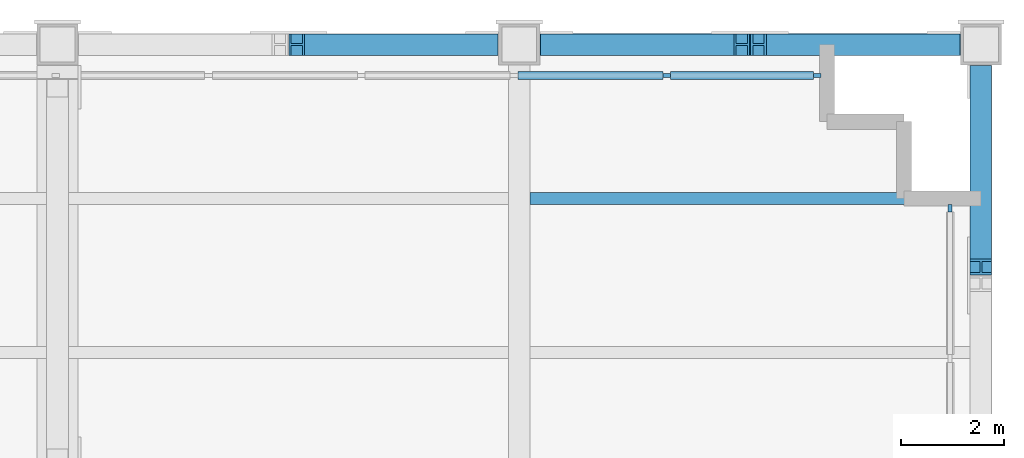
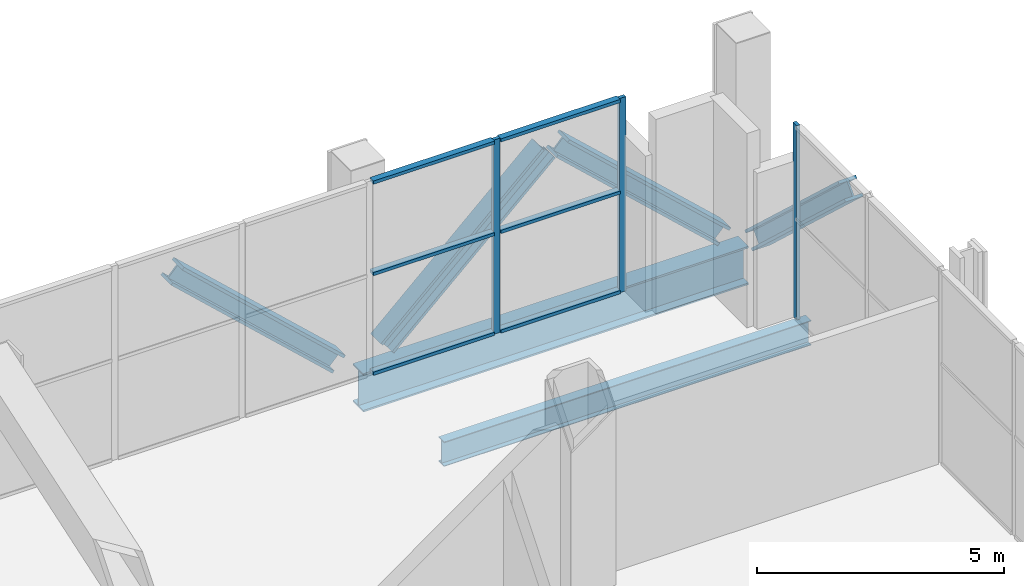
# One storey, part 8 of 16: 13 members, 2 beams, 2 elements without a shape of their own.
"""IFC4 building model written with IfcOpenShell, lengths in metres."""

from ifc_helpers import new_model, si_unit, direction, frame, origin, origin_2d, place, context, subcontext, project, spatial, rectangle, i_section, extrude, material, material_profile, profile_set, type_object, element, aggregate, save


model = new_model("IFC4")

# Units and contexts
model_context = context("Model", 3, precision=1e-05, world=origin(), true_north=direction((0.0, 1.0)))
body_context = subcontext(model_context, "Body", "Model", "MODEL_VIEW")
ifc_project = project(units=[si_unit("LENGTHUNIT", "METRE"), si_unit("AREAUNIT", "SQUARE_METRE"), si_unit("VOLUMEUNIT", "CUBIC_METRE"), si_unit("PLANEANGLEUNIT", "RADIAN"), si_unit("MASSUNIT", "GRAM", prefix="KILO")], contexts=[model_context])

# Site, building, storey
site_placement = place(None, origin())
site = spatial("IfcSite", under=ifc_project, at=site_placement, CompositionType="ELEMENT")
building_placement = place(site_placement, origin())
building = spatial("IfcBuilding", under=site, at=building_placement, Name="Loomwork Tower", CompositionType="ELEMENT")
storey_placement = place(building_placement, frame((0.0, 0.0, 155.39990234375)))
storey = spatial("IfcBuildingStorey", under=building, at=storey_placement, Name="L42", CompositionType="ELEMENT", Elevation=155.39990234375)

# Beam
ifc_material_1 = material(Name="Steel ASTM A992", Category="steel")
ifc_material_profile_1 = material_profile(ifc_material_1, i_section(OverallWidth=0.424072265625, OverallDepth=0.947509765625, WebThickness=0.02392578125, FlangeThickness=0.042724609375, at=origin_2d()), Name="W36x302")
ifc_profile_set_1 = profile_set([ifc_material_profile_1], Name="Steel ASTM A992")
beam_type_1 = type_object("IfcBeamType", Name="BELT CHORD SPANDREL W36x302", PredefinedType="SPANDREL", material=ifc_profile_set_1)
beam_1_placement = place(storey_placement, frame((36.0, 36.0, -0.7236328125), z_axis=(1.0, 0.0, 0.0), x_axis=(0.0, 1.0, 0.0)))
element("IfcBeam", 1, at=beam_1_placement, inside=storey, type_object=beam_type_1, Name="Belt Chord Spandrel H/6-H/7 L42", PredefinedType="SPANDREL", context=body_context, shape_type="SweptSolid", body=[
    extrude(i_section(OverallWidth=0.424072265625, OverallDepth=0.947509765625, WebThickness=0.02392578125, FlangeThickness=0.042724609375, at=origin_2d()), origin(), (0.0, 0.0, 1.0), 9.0),
])

# Members
ifc_material_2 = material(Name="Steel ASTM A992", Category="steel")
ifc_material_profile_2 = material_profile(ifc_material_2, i_section(OverallWidth=0.419189453125, OverallDepth=0.45458984375, WebThickness=0.042236328125, FlangeThickness=0.067626953125, at=origin_2d()), Name="W14x370")
ifc_profile_set_2 = profile_set([ifc_material_profile_2], Name="Steel ASTM A992")
member_type_1 = type_object("IfcMemberType", Name="BELT TRUSS DIAGONAL W14x370", PredefinedType="BRACE", material=ifc_profile_set_2)
for number, where, z_axis, x_axis, name in (
    (2, (35.435302734375, 36.0, 0.1767578125), (-0.733176969672, 0.0, 0.680037889491), (0.0, -1.0, 0.0), "Belt truss diagonal H/5-H/6 L42"),
    (3, (36.564697265625, 36.0, 0.1767578125), (0.733176969672, 0.0, 0.680037889491), (0.0, 1.0, 0.0), "Belt truss diagonal H/6-H/7 L42"),
    (4, (44.435302734375, 36.0, 0.1767578125), (-0.733176969672, 0.0, 0.680037889491), (0.0, -1.0, 0.0), "Belt truss diagonal H/6-H/7 L42"),
    (5, (45.0, 35.435302734375, 0.1767578125), (0.0, -0.733176969672, 0.680037889491), (1.0, 0.0, 0.0), "Belt truss diagonal G/7-H/7 L42"),
):
    element("IfcMember", number, at=place(storey_placement, frame(where, z_axis=z_axis, x_axis=x_axis)), inside=storey, type_object=member_type_1, Name=name, PredefinedType="BRACE", context=body_context, shape_type="SweptSolid", body=[
        extrude(i_section(OverallWidth=0.419189453125, OverallDepth=0.45458984375, WebThickness=0.042236328125, FlangeThickness=0.067626953125, at=origin_2d()), origin(), (0.0, 0.0, 1.0), 5.145751953125),
    ])

# Beam
ifc_material_3 = material(Name="Steel ASTM A992", Category="steel")
ifc_material_profile_3 = material_profile(ifc_material_3, i_section(OverallWidth=0.228271484375, OverallDepth=0.607177734375, WebThickness=0.01123046875, FlangeThickness=0.017333984375, at=origin_2d()), Name="W24x76")
ifc_profile_set_3 = profile_set([ifc_material_profile_3], Name="Steel ASTM A992")
beam_type_2 = type_object("IfcBeamType", Name="PLANT FLOOR JOIST W24x76", PredefinedType="JOIST", material=ifc_profile_set_3)
beam_2_placement = place(storey_placement, frame((36.212890625, 33.0, -0.553466796875), z_axis=(1.0, 0.0, 0.0), x_axis=(0.0, 1.0, 0.0)))
element("IfcBeam", 6, at=beam_2_placement, inside=storey, type_object=beam_type_2, Name="Plant Floor Joist 36.000,33.000-45.000,33.000 L42", PredefinedType="JOIST", context=body_context, shape_type="SweptSolid", body=[
    extrude(i_section(OverallWidth=0.228271484375, OverallDepth=0.607177734375, WebThickness=0.01123046875, FlangeThickness=0.017333984375, at=origin_2d()), origin(), (0.0, 0.0, 1.0), 8.5751953125),
])

# Curtain wall, member
ifc_material_4 = material(Name="Aluminium louvre frame", Category="aluminium")
curtain_wall_type = type_object("IfcCurtainWallType", Name="Plant floor louvre screen", PredefinedType="NOTDEFINED", material=ifc_material_4)
curtain_wall_1_placement = place(storey_placement, origin())
curtain_wall_1 = element("IfcCurtainWall", 7, at=curtain_wall_1_placement, inside=storey, type_object=curtain_wall_type, Name="Plant floor louvre screen cw/E", PredefinedType="NOTDEFINED")
ifc_material_5 = material(Name="Aluminium louvre frame", Category="aluminium")
ifc_material_profile_4 = material_profile(ifc_material_5, rectangle(XDim=0.080078125, YDim=0.14990234375, at=origin_2d()), Name="AL 80x150")
ifc_profile_set_4 = profile_set([ifc_material_profile_4], Name="Aluminium louvre frame")
member_type_2 = type_object("IfcMemberType", Name="Plant floor louvre screen mullion", PredefinedType="MULLION", material=ifc_profile_set_4)
member_1_placement = place(storey_placement, frame((44.39990234375, 32.81005859375, 0.0), z_axis=(0.0, 0.0, 1.0), x_axis=(-1.0, 0.0, 0.0)))
member_1 = element("IfcMember", 8, at=member_1_placement, type_object=member_type_2, Name="CW4 mullion 11", PredefinedType="MULLION", context=body_context, shape_type="SweptSolid", body=[
    extrude(rectangle(XDim=0.080078125, YDim=0.14990234375, at=origin_2d()), origin(), (0.0, 0.0, 1.0), 4.800048828125),
])
aggregate(curtain_wall_1, [member_1])

# Curtain wall, members
curtain_wall_2_placement = place(storey_placement, origin())
curtain_wall_2 = element("IfcCurtainWall", 9, at=curtain_wall_2_placement, inside=storey, type_object=curtain_wall_type, Name="Plant floor louvre screen cw/N", PredefinedType="NOTDEFINED")
member_2_placement = place(storey_placement, frame((41.81005859375, 35.39990234375, 0.0), z_axis=(0.0, 0.0, 1.0), x_axis=(0.0, -1.0, 0.0)))
member_2 = element("IfcMember", 10, at=member_2_placement, type_object=member_type_2, Name="CW4 mullion 1", PredefinedType="MULLION", context=body_context, shape_type="SweptSolid", body=[
    extrude(rectangle(XDim=0.080078125, YDim=0.14990234375, at=origin_2d()), origin(), (0.0, 0.0, 1.0), 4.800048828125),
])
member_3_placement = place(storey_placement, frame((38.873046875, 35.39990234375, 0.0), z_axis=(0.0, 0.0, 1.0), x_axis=(0.0, -1.0, 0.0)))
member_3 = element("IfcMember", 11, at=member_3_placement, type_object=member_type_2, Name="CW4 mullion 2", PredefinedType="MULLION", context=body_context, shape_type="SweptSolid", body=[
    extrude(rectangle(XDim=0.080078125, YDim=0.14990234375, at=origin_2d()), origin(), (0.0, 0.0, 1.0), 4.800048828125),
])
ifc_material_6 = material(Name="Aluminium louvre frame", Category="aluminium")
ifc_material_profile_5 = material_profile(ifc_material_6, rectangle(XDim=0.14990234375, YDim=0.080078125, at=origin_2d()), Name="AL 80x150")
ifc_profile_set_5 = profile_set([ifc_material_profile_5], Name="Aluminium louvre frame")
member_type_3 = type_object("IfcMemberType", Name="Plant floor louvre screen transom", PredefinedType="USERDEFINED", material=ifc_profile_set_5)
member_4_placement = place(storey_placement, frame((41.735107421875, 35.39990234375, 0.0400390625), z_axis=(-1.0, 0.0, 0.0), x_axis=(0.0, -1.0, 0.0)))
member_4 = element("IfcMember", 12, at=member_4_placement, type_object=member_type_3, Name="CW4 transom 1.1", ObjectType="TRANSOM", PredefinedType="USERDEFINED", context=body_context, shape_type="SweptSolid", body=[
    extrude(rectangle(XDim=0.14990234375, YDim=0.080078125, at=origin_2d()), origin(), (0.0, 0.0, 1.0), 2.787109375),
])
member_5_placement = place(storey_placement, frame((41.735107421875, 35.39990234375, 2.5), z_axis=(-1.0, 0.0, 0.0), x_axis=(0.0, -1.0, 0.0)))
member_5 = element("IfcMember", 13, at=member_5_placement, type_object=member_type_3, Name="CW4 transom 1.2", ObjectType="TRANSOM", PredefinedType="USERDEFINED", context=body_context, shape_type="SweptSolid", body=[
    extrude(rectangle(XDim=0.14990234375, YDim=0.080078125, at=origin_2d()), origin(), (0.0, 0.0, 1.0), 2.787109375),
])
member_6_placement = place(storey_placement, frame((41.735107421875, 35.39990234375, 4.760009765625), z_axis=(-1.0, 0.0, 0.0), x_axis=(0.0, -1.0, 0.0)))
member_6 = element("IfcMember", 14, at=member_6_placement, type_object=member_type_3, Name="CW4 transom 1.3", ObjectType="TRANSOM", PredefinedType="USERDEFINED", context=body_context, shape_type="SweptSolid", body=[
    extrude(rectangle(XDim=0.14990234375, YDim=0.080078125, at=origin_2d()), origin(), (0.0, 0.0, 1.0), 2.787109375),
])
member_7_placement = place(storey_placement, frame((38.798095703125, 35.39990234375, 0.0400390625), z_axis=(-1.0, 0.0, 0.0), x_axis=(0.0, -1.0, 0.0)))
member_7 = element("IfcMember", 15, at=member_7_placement, type_object=member_type_3, Name="CW4 transom 2.1", ObjectType="TRANSOM", PredefinedType="USERDEFINED", context=body_context, shape_type="SweptSolid", body=[
    extrude(rectangle(XDim=0.14990234375, YDim=0.080078125, at=origin_2d()), origin(), (0.0, 0.0, 1.0), 2.826904296875),
])
member_8_placement = place(storey_placement, frame((38.798095703125, 35.39990234375, 2.5), z_axis=(-1.0, 0.0, 0.0), x_axis=(0.0, -1.0, 0.0)))
member_8 = element("IfcMember", 16, at=member_8_placement, type_object=member_type_3, Name="CW4 transom 2.2", ObjectType="TRANSOM", PredefinedType="USERDEFINED", context=body_context, shape_type="SweptSolid", body=[
    extrude(rectangle(XDim=0.14990234375, YDim=0.080078125, at=origin_2d()), origin(), (0.0, 0.0, 1.0), 2.826904296875),
])
member_9_placement = place(storey_placement, frame((38.798095703125, 35.39990234375, 4.760009765625), z_axis=(-1.0, 0.0, 0.0), x_axis=(0.0, -1.0, 0.0)))
member_9 = element("IfcMember", 17, at=member_9_placement, type_object=member_type_3, Name="CW4 transom 2.3", ObjectType="TRANSOM", PredefinedType="USERDEFINED", context=body_context, shape_type="SweptSolid", body=[
    extrude(rectangle(XDim=0.14990234375, YDim=0.080078125, at=origin_2d()), origin(), (0.0, 0.0, 1.0), 2.826904296875),
])
aggregate(curtain_wall_2, [member_2, member_3, member_4, member_5, member_6, member_7, member_8, member_9])

save(model, "model.ifc")
